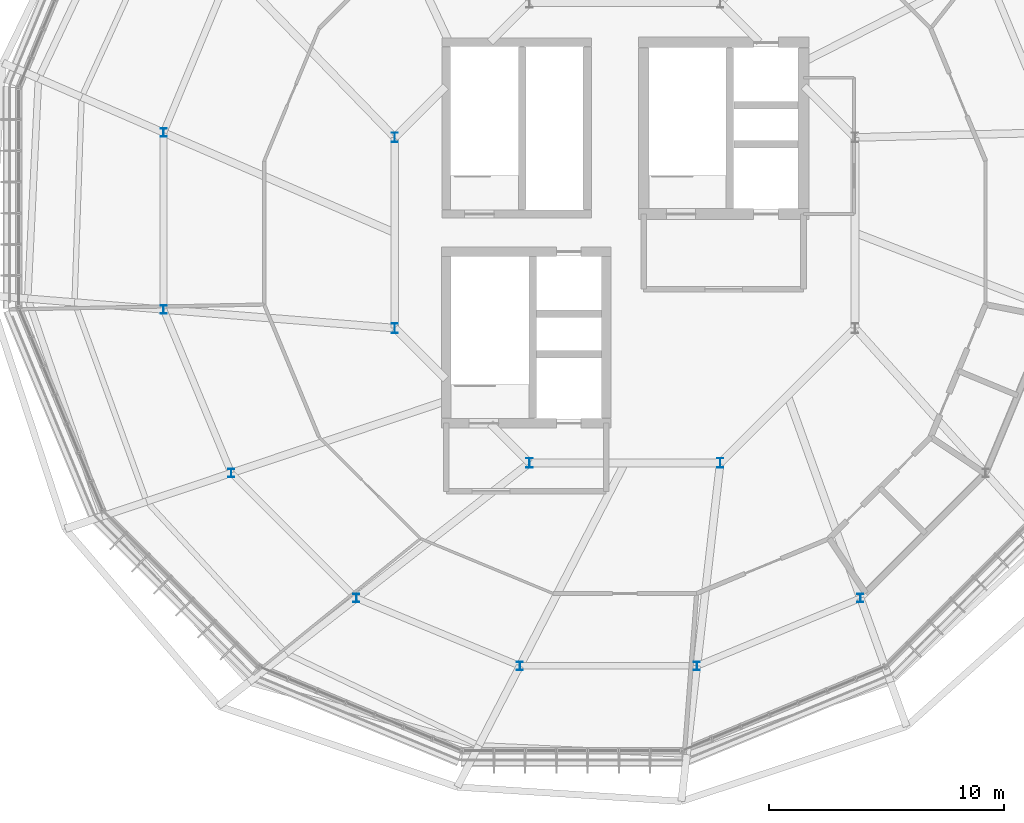
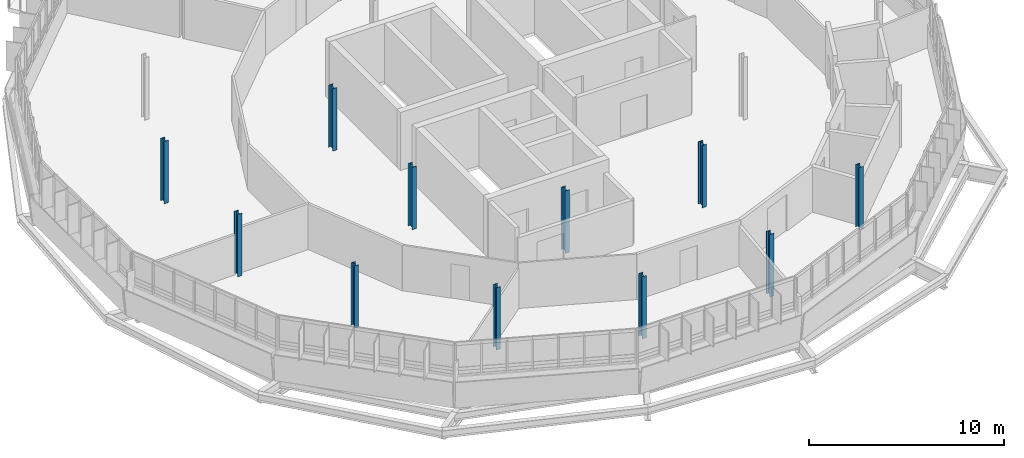
# One storey, part 1 of 31: 11 columns.
"""IFC4 building model written with IfcOpenShell, lengths in metres."""

from ifc_helpers import new_model, si_unit, derived_unit, direction, frame, origin, origin_2d, place, context, subcontext, project, spatial, i_section, extrude, material, material_profile, profile_set, type_object, element, save


model = new_model("IFC4")

# Units and contexts
model_context = context("Model", 3, precision=1e-05, world=origin(), true_north=direction((0.0, 1.0)))
body_context = subcontext(model_context, "Body", "Model", "MODEL_VIEW")
ifc_project = project(units=[si_unit("LENGTHUNIT", "METRE"), si_unit("AREAUNIT", "SQUARE_METRE"), si_unit("VOLUMEUNIT", "CUBIC_METRE"), si_unit("PLANEANGLEUNIT", "RADIAN"), si_unit("MASSUNIT", "GRAM", prefix="KILO"), derived_unit("THERMALTRANSMITTANCEUNIT", [(si_unit("MASSUNIT", "GRAM", prefix="KILO"), 1), (si_unit("TIMEUNIT", "SECOND"), -3), (si_unit("THERMODYNAMICTEMPERATUREUNIT", "KELVIN"), -1)])], contexts=[model_context])

# Site, building, storey
site_placement = place(None, origin())
site = spatial("IfcSite", under=ifc_project, at=site_placement, CompositionType="ELEMENT")
building_placement = place(site_placement, origin())
building = spatial("IfcBuilding", under=site, at=building_placement, Name="Makaiwela Harbour Ferry Terminal", CompositionType="ELEMENT")
storey_placement = place(building_placement, frame((0.0, 0.0, 21.60009765625)))
storey = spatial("IfcBuildingStorey", under=building, at=storey_placement, Name="L05", CompositionType="ELEMENT", Elevation=21.60009765625)

# Columns
ifc_material = material(Name="Steel ASTM A992 Grade 50", Category="steel")
ifc_material_profile_1 = material_profile(ifc_material, i_section(OverallWidth=0.2548828125, OverallDepth=0.35693359375, WebThickness=0.010498046875, FlangeThickness=0.018310546875, at=origin_2d()), Name="W14X68")
ifc_profile_set_1 = profile_set([ifc_material_profile_1], Name="Steel ASTM A992 Grade 50")
column_type_1 = type_object("IfcColumnType", Name="STR-COL-W14X68", PredefinedType="COLUMN", material=ifc_profile_set_1)
for number, where, z_axis, x_axis, name in (
    (1, (18.1708984375, 71.865234375, 0.0), (0.0, 0.0, 1.0), (1.0, 0.0, 0.0), "Structural Column C-06"),
    (2, (18.1708984375, 64.334716796875, 0.0), (0.0, 0.0, 1.0), (1.0, 0.0, 0.0), "Structural Column C-06"),
    (3, (21.052490234375, 57.37744140625, 0.0), (0.0, 0.0, 1.0), (1.0, 0.0, 0.0), "Structural Column C-06"),
    (4, (26.37744140625, 52.052490234375, 0.0), (0.0, 0.0, 1.0), (1.0, 0.0, 0.0), "Structural Column C-06"),
    (5, (33.334716796875, 49.1708984375, 0.0), (0.0, 0.0, 1.0), (1.0, 0.0, 0.0), "Structural Column C-06"),
    (6, (40.865234375, 49.1708984375, 0.0), (0.0, 0.0, 1.0), (1.0, 0.0, 0.0), "Structural Column C-06"),
    (7, (47.822509765625, 52.052490234375, 0.0), (0.0, 0.0, 1.0), (1.0, 0.0, 0.0), "Structural Column C-06"),
):
    element("IfcColumn", number, at=place(storey_placement, frame(where, z_axis=z_axis, x_axis=x_axis)), inside=storey, type_object=column_type_1, Name=name, PredefinedType="COLUMN", context=body_context, shape_type="SweptSolid", body=[
        extrude(i_section(OverallWidth=0.2548828125, OverallDepth=0.35693359375, WebThickness=0.010498046875, FlangeThickness=0.018310546875, at=origin_2d()), origin(), (0.0, 0.0, 1.0), 3.89990234375),
    ])
ifc_material_profile_2 = material_profile(ifc_material, i_section(OverallWidth=0.260986328125, OverallDepth=0.4189453125, WebThickness=0.01171875, FlangeThickness=0.019287109375, at=origin_2d()), Name="W16X77")
ifc_profile_set_2 = profile_set([ifc_material_profile_2], Name="Steel ASTM A992 Grade 50")
column_type_2 = type_object("IfcColumnType", Name="STR-COL-W16X77", PredefinedType="COLUMN", material=ifc_profile_set_2)
for number, where, z_axis, x_axis, name in (
    (8, (28.0068359375, 71.656494140625, 0.0), (0.0, 0.0, 1.0), (1.0, 0.0, 0.0), "Structural Column C-04"),
    (9, (28.0068359375, 63.543701171875, 0.0), (0.0, 0.0, 1.0), (1.0, 0.0, 0.0), "Structural Column C-04"),
    (10, (33.74365234375, 57.806884765625, 0.0), (0.0, 0.0, 1.0), (1.0, 0.0, 0.0), "Structural Column C-04"),
    (11, (41.8564453125, 57.806884765625, 0.0), (0.0, 0.0, 1.0), (1.0, 0.0, 0.0), "Structural Column C-04"),
):
    element("IfcColumn", number, at=place(storey_placement, frame(where, z_axis=z_axis, x_axis=x_axis)), inside=storey, type_object=column_type_2, Name=name, PredefinedType="COLUMN", context=body_context, shape_type="SweptSolid", body=[
        extrude(i_section(OverallWidth=0.260986328125, OverallDepth=0.4189453125, WebThickness=0.01171875, FlangeThickness=0.019287109375, at=origin_2d()), origin(), (0.0, 0.0, 1.0), 3.89990234375),
    ])

save(model, "model.ifc")
